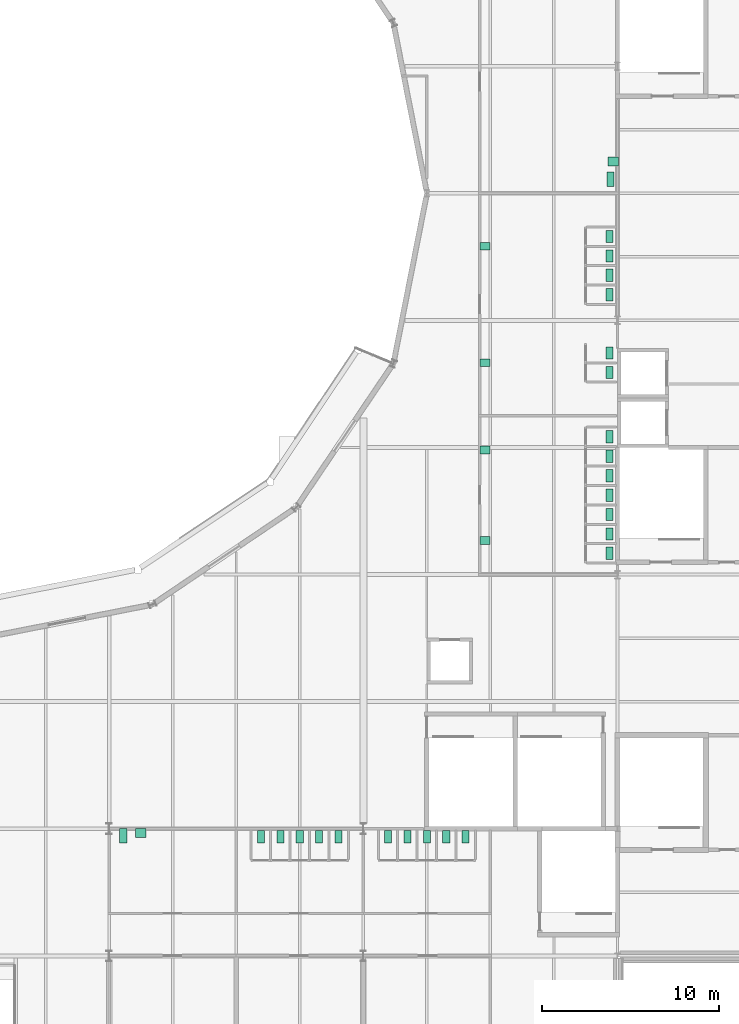
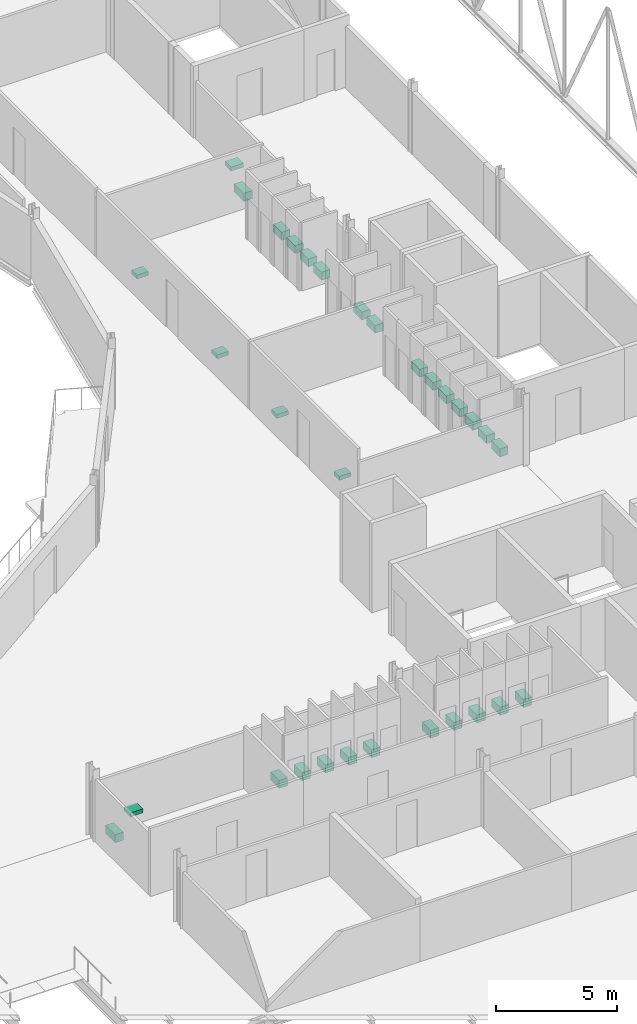
# One storey, part 142 of 142: 31 sanitary terminals.
"""IFC4 building model written with IfcOpenShell, lengths in metres."""

from ifc_helpers import new_model, si_unit, direction, frame, origin, origin_2d, place, context, subcontext, project, spatial, rectangle, extrude, element, save


model = new_model("IFC4")

# Units and contexts
model_context = context("Model", 3, precision=1e-05, world=origin(), true_north=direction((0.0, 1.0)))
body_context = subcontext(model_context, "Body", "Model", "MODEL_VIEW")
ifc_project = project(units=[si_unit("LENGTHUNIT", "METRE"), si_unit("AREAUNIT", "SQUARE_METRE"), si_unit("VOLUMEUNIT", "CUBIC_METRE"), si_unit("PLANEANGLEUNIT", "RADIAN"), si_unit("MASSUNIT", "GRAM", prefix="KILO")], contexts=[model_context])

# Site, building, storey
site_placement = place(None, origin())
site = spatial("IfcSite", under=ifc_project, at=site_placement, CompositionType="ELEMENT")
building_placement = place(site_placement, origin())
building = spatial("IfcBuilding", under=site, at=building_placement, Name="Kupolbacken Congress Centre", CompositionType="ELEMENT")
storey_placement = place(building_placement, frame((0.0, 0.0, 14.39990234375)))
storey = spatial("IfcBuildingStorey", under=building, at=storey_placement, Name="L04", CompositionType="ELEMENT", Elevation=14.39990234375)

# Sanitary terminals
for number, where, z_axis, x_axis, name in (
    (1, (59.0, 49.949951171875, 0.000244140625), (0.0, 0.0, 1.0), (1.0, 0.0, 0.0), "WC pan"),
    (2, (60.10009765625, 49.949951171875, 0.000244140625), (0.0, 0.0, 1.0), (1.0, 0.0, 0.0), "WC pan"),
    (3, (61.199951171875, 49.949951171875, 0.000244140625), (0.0, 0.0, 1.0), (1.0, 0.0, 0.0), "WC pan"),
    (4, (62.300048828125, 49.949951171875, 0.000244140625), (0.0, 0.0, 1.0), (1.0, 0.0, 0.0), "WC pan"),
    (5, (63.39990234375, 49.949951171875, 0.000244140625), (0.0, 0.0, 1.0), (1.0, 0.0, 0.0), "WC pan"),
    (6, (66.199951171875, 49.949951171875, 0.000244140625), (0.0, 0.0, 1.0), (1.0, 0.0, 0.0), "WC pan"),
    (7, (67.300048828125, 49.949951171875, 0.000244140625), (0.0, 0.0, 1.0), (1.0, 0.0, 0.0), "WC pan"),
    (8, (68.39990234375, 49.949951171875, 0.000244140625), (0.0, 0.0, 1.0), (1.0, 0.0, 0.0), "WC pan"),
    (9, (69.5, 49.949951171875, 0.000244140625), (0.0, 0.0, 1.0), (1.0, 0.0, 0.0), "WC pan"),
    (10, (70.60009765625, 49.949951171875, 0.000244140625), (0.0, 0.0, 1.0), (1.0, 0.0, 0.0), "WC pan"),
    (11, (78.75, 66.0, 0.000244140625), (0.0, 0.0, 1.0), (1.0, 0.0, 0.0), "WC pan"),
    (12, (78.75, 67.10009765625, 0.000244140625), (0.0, 0.0, 1.0), (1.0, 0.0, 0.0), "WC pan"),
    (13, (78.75, 68.199951171875, 0.000244140625), (0.0, 0.0, 1.0), (1.0, 0.0, 0.0), "WC pan"),
    (14, (78.75, 69.300048828125, 0.000244140625), (0.0, 0.0, 1.0), (1.0, 0.0, 0.0), "WC pan"),
    (15, (78.75, 70.39990234375, 0.000244140625), (0.0, 0.0, 1.0), (1.0, 0.0, 0.0), "WC pan"),
    (16, (78.75, 71.5, 0.000244140625), (0.0, 0.0, 1.0), (1.0, 0.0, 0.0), "WC pan"),
    (17, (78.75, 72.60009765625, 0.000244140625), (0.0, 0.0, 1.0), (1.0, 0.0, 0.0), "WC pan"),
):
    element("IfcSanitaryTerminal", number, at=place(storey_placement, frame(where, z_axis=z_axis, x_axis=x_axis)), inside=storey, Name=name, PredefinedType="TOILETPAN", context=body_context, shape_type="SweptSolid", body=[
        extrude(rectangle(XDim=0.39990234375, YDim=0.699951171875, at=origin_2d()), origin(), (0.0, 0.0, 1.0), 0.39990234375),
    ])
for number, where, z_axis, x_axis, name in (
    (18, (71.699951171875, 66.7333984375, 0.80029296875), (0.0, 0.0, 1.0), (1.0, 0.0, 0.0), "Wash basin"),
    (19, (71.699951171875, 71.86669921875, 0.80029296875), (0.0, 0.0, 1.0), (1.0, 0.0, 0.0), "Wash basin"),
):
    element("IfcSanitaryTerminal", number, at=place(storey_placement, frame(where, z_axis=z_axis, x_axis=x_axis)), inside=storey, Name=name, PredefinedType="WASHHANDBASIN", context=body_context, shape_type="SweptSolid", body=[
        extrude(rectangle(XDim=0.550048828125, YDim=0.449951171875, at=origin_2d()), origin(), (0.0, 0.0, 1.0), 0.199951171875),
    ])
for number, where, z_axis, x_axis, name in (
    (20, (78.75, 76.25, 0.000244140625), (0.0, 0.0, 1.0), (1.0, 0.0, 0.0), "WC pan"),
    (21, (78.75, 77.35009765625, 0.000244140625), (0.0, 0.0, 1.0), (1.0, 0.0, 0.0), "WC pan"),
    (22, (78.75, 80.64990234375, 0.000244140625), (0.0, 0.0, 1.0), (1.0, 0.0, 0.0), "WC pan"),
    (23, (78.75, 81.75, 0.000244140625), (0.0, 0.0, 1.0), (1.0, 0.0, 0.0), "WC pan"),
    (24, (78.75, 82.85009765625, 0.000244140625), (0.0, 0.0, 1.0), (1.0, 0.0, 0.0), "WC pan"),
    (25, (78.75, 83.949951171875, 0.000244140625), (0.0, 0.0, 1.0), (1.0, 0.0, 0.0), "WC pan"),
):
    element("IfcSanitaryTerminal", number, at=place(storey_placement, frame(where, z_axis=z_axis, x_axis=x_axis)), inside=storey, Name=name, PredefinedType="TOILETPAN", context=body_context, shape_type="SweptSolid", body=[
        extrude(rectangle(XDim=0.39990234375, YDim=0.699951171875, at=origin_2d()), origin(), (0.0, 0.0, 1.0), 0.39990234375),
    ])
for number, where, z_axis, x_axis, name in (
    (26, (71.699951171875, 76.800048828125, 0.80029296875), (0.0, 0.0, 1.0), (1.0, 0.0, 0.0), "Wash basin"),
    (27, (71.699951171875, 83.39990234375, 0.80029296875), (0.0, 0.0, 1.0), (1.0, 0.0, 0.0), "Wash basin"),
):
    element("IfcSanitaryTerminal", number, at=place(storey_placement, frame(where, z_axis=z_axis, x_axis=x_axis)), inside=storey, Name=name, PredefinedType="WASHHANDBASIN", context=body_context, shape_type="SweptSolid", body=[
        extrude(rectangle(XDim=0.550048828125, YDim=0.449951171875, at=origin_2d()), origin(), (0.0, 0.0, 1.0), 0.199951171875),
    ])
sanitary_terminal_1_placement = place(storey_placement, frame((51.199951171875, 50.0, 0.000244140625), z_axis=(0.0, 0.0, 1.0), x_axis=(1.0, 0.0, 0.0)))
element("IfcSanitaryTerminal", 28, at=sanitary_terminal_1_placement, inside=storey, Name="Accessible WC pan", PredefinedType="TOILETPAN", context=body_context, shape_type="SweptSolid", body=[
    extrude(rectangle(XDim=0.39990234375, YDim=0.800048828125, at=origin_2d()), origin(), (0.0, 0.0, 1.0), 0.39990234375),
])
sanitary_terminal_2_placement = place(storey_placement, frame((52.199951171875, 50.14990234375, 0.80029296875), z_axis=(0.0, 0.0, 1.0), x_axis=(1.0, 0.0, 0.0)))
element("IfcSanitaryTerminal", 29, at=sanitary_terminal_2_placement, inside=storey, Name="Accessible wash basin", PredefinedType="WASHHANDBASIN", context=body_context, shape_type="SweptSolid", body=[
    extrude(rectangle(XDim=0.60009765625, YDim=0.5, at=origin_2d()), origin(), (0.0, 0.0, 1.0), 0.199951171875),
])
sanitary_terminal_3_placement = place(storey_placement, frame((78.800048828125, 87.199951171875, 0.000244140625), z_axis=(0.0, 0.0, 1.0), x_axis=(1.0, 0.0, 0.0)))
element("IfcSanitaryTerminal", 30, at=sanitary_terminal_3_placement, inside=storey, Name="Accessible WC pan", PredefinedType="TOILETPAN", context=body_context, shape_type="SweptSolid", body=[
    extrude(rectangle(XDim=0.39990234375, YDim=0.800048828125, at=origin_2d()), origin(), (0.0, 0.0, 1.0), 0.39990234375),
])
sanitary_terminal_4_placement = place(storey_placement, frame((78.949951171875, 88.199951171875, 0.80029296875), z_axis=(0.0, 0.0, 1.0), x_axis=(1.0, 0.0, 0.0)))
element("IfcSanitaryTerminal", 31, at=sanitary_terminal_4_placement, inside=storey, Name="Accessible wash basin", PredefinedType="WASHHANDBASIN", context=body_context, shape_type="SweptSolid", body=[
    extrude(rectangle(XDim=0.60009765625, YDim=0.5, at=origin_2d()), origin(), (0.0, 0.0, 1.0), 0.199951171875),
])

save(model, "model.ifc")
